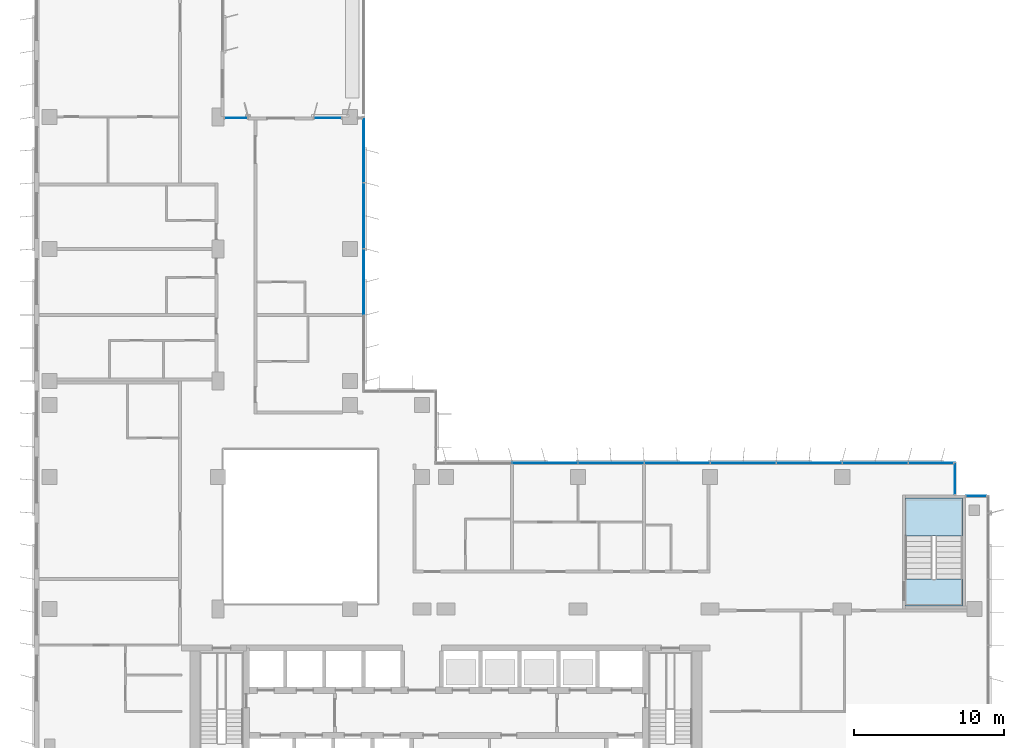
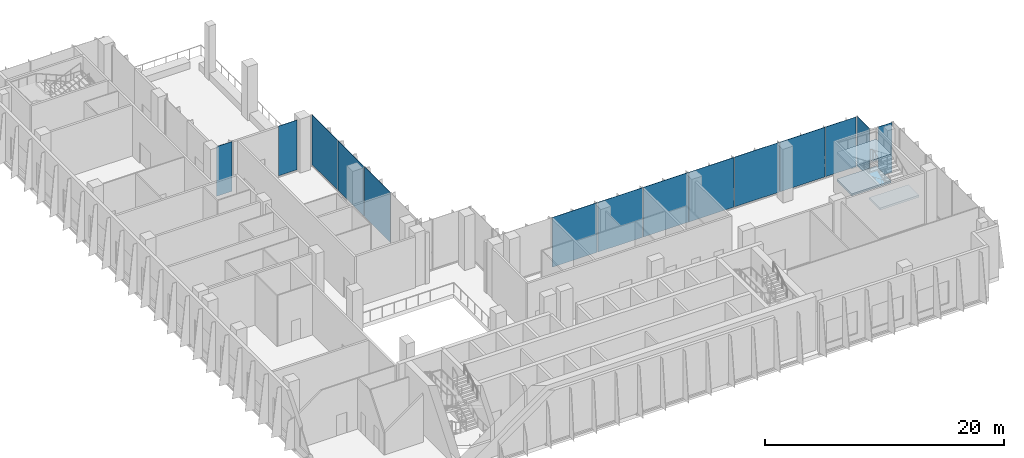
# One storey, part 10 of 24: 14 plates, 3 slabs, 7 elements without a shape of their own.
"""IFC4 building model written with IfcOpenShell, lengths in metres."""

from ifc_helpers import new_model, si_unit, direction, frame, origin, origin_2d, place, context, subcontext, project, spatial, polyline, rectangle, outline, extrude, source, transform, mapped, material, layer, layer_set, type_object, element, aggregate, save


model = new_model("IFC4")

# Units and contexts
model_context = context("Model", 3, precision=1e-05, world=origin(), true_north=direction((0.0, 1.0)))
body_context = subcontext(model_context, "Body", "Model", "MODEL_VIEW")
ifc_project = project(units=[si_unit("LENGTHUNIT", "METRE"), si_unit("AREAUNIT", "SQUARE_METRE"), si_unit("VOLUMEUNIT", "CUBIC_METRE"), si_unit("PLANEANGLEUNIT", "RADIAN"), si_unit("MASSUNIT", "GRAM", prefix="KILO")], contexts=[model_context])

# Site, building, storey
site_placement = place(None, origin())
site = spatial("IfcSite", under=ifc_project, at=site_placement, CompositionType="ELEMENT")
building_placement = place(site_placement, origin())
building = spatial("IfcBuilding", under=site, at=building_placement, Name="Kemantara Hotel Tower", CompositionType="ELEMENT")
storey_placement = place(building_placement, frame((0.0, 0.0, 202.5)))
storey = spatial("IfcBuildingStorey", under=building, at=storey_placement, Name="L50", CompositionType="ELEMENT", Elevation=202.5)

# Stair, slabs
ifc_material_1 = material(Name="Concrete fc 40 MPa", Category="concrete")
stair_type = type_object("IfcStairType", Name="Stair 1800 wide 36 risers of 153 x 360 mm", PredefinedType="HALF_TURN_STAIR", material=ifc_material_1)
stair_placement = place(storey_placement, origin())
stair = element("IfcStair", 1, at=stair_placement, inside=storey, type_object=stair_type, Name="L50 Exit stair ST3", PredefinedType="HALF_TURN_STAIR")
ifc_layer_1 = layer(ifc_material_1, 0.199951171875)
ifc_layer_set_1 = layer_set([ifc_layer_1], Name="Concrete fc 40 MPa")
slab_type = type_object("IfcSlabType", Name="Stair landing 200 mm", PredefinedType="LANDING", material=ifc_layer_set_1)
slab_1_placement = place(storey_placement, frame((0.0, 0.0, 1.175048828125)))
slab_1 = element("IfcSlab", 2, at=slab_1_placement, type_object=slab_type, Name="ST3 landing 1", PredefinedType="LANDING", context=body_context, shape_type="SweptSolid", body=[
    extrude(outline(polyline([(61.800048828125, 17.080078125), (61.800048828125, 19.60009765625), (58.0, 19.60009765625), (58.0, 17.080078125), (61.800048828125, 17.080078125)])), origin(), (0.0, 0.0, 1.0), 0.199951171875),
])
slab_2_placement = place(storey_placement, frame((0.0, 0.0, 2.550048828125)))
slab_2 = element("IfcSlab", 3, at=slab_2_placement, type_object=slab_type, Name="ST3 landing 2", PredefinedType="LANDING", context=body_context, shape_type="SweptSolid", body=[
    extrude(outline(polyline([(61.800048828125, 12.39990234375), (61.800048828125, 14.199951171875), (58.0, 14.199951171875), (58.0, 12.39990234375), (61.800048828125, 12.39990234375)])), origin(), (0.0, 0.0, 1.0), 0.199951171875),
])
slab_3_placement = place(storey_placement, frame((0.0, 0.0, 3.925048828125)))
slab_3 = element("IfcSlab", 4, at=slab_3_placement, type_object=slab_type, Name="ST3 landing 3", PredefinedType="LANDING", context=body_context, shape_type="SweptSolid", body=[
    extrude(outline(polyline([(61.800048828125, 17.080078125), (61.800048828125, 19.60009765625), (58.0, 19.60009765625), (58.0, 17.080078125), (61.800048828125, 17.080078125)])), origin(), (0.0, 0.0, 1.0), 0.199951171875),
])
aggregate(stair, [slab_1, slab_2, slab_3])

# Curtain wall, plates
ifc_material_2 = material(Name="Low-E tinted double insulated glass 36 mm", Category="glass")
curtain_wall_type_1 = type_object("IfcCurtainWallType", Name="TOWER CURTAIN WALL, FRONT FACES", PredefinedType="USERDEFINED", material=ifc_material_2)
curtain_wall_1_placement = place(storey_placement, origin())
curtain_wall_1 = element("IfcCurtainWall", 5, at=curtain_wall_1_placement, inside=storey, type_object=curtain_wall_type_1, Name="CW4 L50 T3S-R00-1", ObjectType="TOWER CURTAIN WALL, FRONT FACES", PredefinedType="USERDEFINED")
ifc_layer_2 = layer(ifc_material_2, 0.035888671875)
ifc_layer_set_2 = layer_set([ifc_layer_2], Name="Low-E tinted double insulated glass 36 mm")
plate_type_1 = type_object("IfcPlateType", Name="TOWER CURTAIN WALL, FRONT FACES PANEL", PredefinedType="CURTAIN_PANEL", material=ifc_layer_set_2)
shared_shape_1 = source(origin(), body_context, "Body", "SweptSolid", [
    extrude(rectangle(XDim=4.340087890625, YDim=0.035888671875, at=origin_2d()), origin(), (0.0, 0.0, 1.0), 5.080078125),
])
plate_1_placement = place(storey_placement, frame((21.925048828125, 34.0, 0.119873046875), z_axis=(0.0, 0.0, 1.0), x_axis=(0.0, 1.0, 0.0)))
plate_1 = element("IfcPlate", 6, at=plate_1_placement, type_object=plate_type_1, Name="CW4 glass panel T3S-R00-1.3", PredefinedType="CURTAIN_PANEL", context=body_context, shape_type="MappedRepresentation", body=[
    mapped(shared_shape_1, transform((0.0, 0.0, 0.0))),
])
plate_2_placement = place(storey_placement, frame((21.925048828125, 38.39990234375, 0.119873046875), z_axis=(0.0, 0.0, 1.0), x_axis=(0.0, 1.0, 0.0)))
plate_2 = element("IfcPlate", 7, at=plate_2_placement, type_object=plate_type_1, Name="CW4 glass panel T3S-R00-1.4", PredefinedType="CURTAIN_PANEL", context=body_context, shape_type="MappedRepresentation", body=[
    mapped(shared_shape_1, transform((0.0, 0.0, 0.0))),
])

curtain_wall_2_placement = place(storey_placement, origin())
curtain_wall_2 = element("IfcCurtainWall", 8, at=curtain_wall_2_placement, inside=storey, type_object=curtain_wall_type_1, Name="CW4 L50 T3S-R15-1", ObjectType="TOWER CURTAIN WALL, FRONT FACES", PredefinedType="USERDEFINED")
plate_3_placement = place(storey_placement, frame((56.0, 21.925048828125, 0.119873046875), z_axis=(0.0, 0.0, 1.0), x_axis=(-1.0, 0.0, 0.0)))
plate_3 = element("IfcPlate", 9, at=plate_3_placement, type_object=plate_type_1, Name="CW4 glass panel T3S-R15-1.2", PredefinedType="CURTAIN_PANEL", context=body_context, shape_type="MappedRepresentation", body=[
    mapped(shared_shape_1, transform((0.0, 0.0, 0.0))),
])
plate_4_placement = place(storey_placement, frame((51.60009765625, 21.925048828125, 0.119873046875), z_axis=(0.0, 0.0, 1.0), x_axis=(-1.0, 0.0, 0.0)))
plate_4 = element("IfcPlate", 10, at=plate_4_placement, type_object=plate_type_1, Name="CW4 glass panel T3S-R15-1.3", PredefinedType="CURTAIN_PANEL", context=body_context, shape_type="MappedRepresentation", body=[
    mapped(shared_shape_1, transform((0.0, 0.0, 0.0))),
])
plate_5_placement = place(storey_placement, frame((47.199951171875, 21.925048828125, 0.119873046875), z_axis=(0.0, 0.0, 1.0), x_axis=(-1.0, 0.0, 0.0)))
plate_5 = element("IfcPlate", 11, at=plate_5_placement, type_object=plate_type_1, Name="CW4 glass panel T3S-R15-1.4", PredefinedType="CURTAIN_PANEL", context=body_context, shape_type="MappedRepresentation", body=[
    mapped(shared_shape_1, transform((0.0, 0.0, 0.0))),
])
plate_6_placement = place(storey_placement, frame((42.800048828125, 21.925048828125, 0.119873046875), z_axis=(0.0, 0.0, 1.0), x_axis=(-1.0, 0.0, 0.0)))
plate_6 = element("IfcPlate", 12, at=plate_6_placement, type_object=plate_type_1, Name="CW4 glass panel T3S-R15-1.5", PredefinedType="CURTAIN_PANEL", context=body_context, shape_type="MappedRepresentation", body=[
    mapped(shared_shape_1, transform((0.0, 0.0, 0.0))),
])
plate_7_placement = place(storey_placement, frame((38.39990234375, 21.925048828125, 0.119873046875), z_axis=(0.0, 0.0, 1.0), x_axis=(-1.0, 0.0, 0.0)))
plate_7 = element("IfcPlate", 13, at=plate_7_placement, type_object=plate_type_1, Name="CW4 glass panel T3S-R15-1.6", PredefinedType="CURTAIN_PANEL", context=body_context, shape_type="MappedRepresentation", body=[
    mapped(shared_shape_1, transform((0.0, 0.0, 0.0))),
])
plate_8_placement = place(storey_placement, frame((34.0, 21.925048828125, 0.119873046875), z_axis=(0.0, 0.0, 1.0), x_axis=(-1.0, 0.0, 0.0)))
plate_8 = element("IfcPlate", 14, at=plate_8_placement, type_object=plate_type_1, Name="CW4 glass panel T3S-R15-1.7", PredefinedType="CURTAIN_PANEL", context=body_context, shape_type="MappedRepresentation", body=[
    mapped(shared_shape_1, transform((0.0, 0.0, 0.0))),
])
shared_shape_2 = source(origin(), body_context, "Body", "SweptSolid", [
    extrude(rectangle(XDim=2.9599609375, YDim=0.035888671875, at=origin_2d()), origin(), (0.0, 0.0, 1.0), 5.080078125),
])
plate_9_placement = place(storey_placement, frame((59.7099609375, 21.925048828125, 0.119873046875), z_axis=(0.0, 0.0, 1.0), x_axis=(-1.0, 0.0, 0.0)))
plate_9 = element("IfcPlate", 15, at=plate_9_placement, type_object=plate_type_1, Name="CW4 glass panel T3S-R15-1.1", PredefinedType="CURTAIN_PANEL", context=body_context, shape_type="MappedRepresentation", body=[
    mapped(shared_shape_2, transform((0.0, 0.0, 0.0))),
])
aggregate(curtain_wall_2, [plate_9, plate_3, plate_4, plate_5, plate_6, plate_7, plate_8])

# Curtain wall, plate
curtain_wall_3_placement = place(storey_placement, origin())
curtain_wall_3 = element("IfcCurtainWall", 16, at=curtain_wall_3_placement, inside=storey, type_object=curtain_wall_type_1, Name="CW4 L50 T3S-R14-1", ObjectType="TOWER CURTAIN WALL, FRONT FACES", PredefinedType="USERDEFINED")
shared_shape_3 = source(origin(), body_context, "Body", "SweptSolid", [
    extrude(rectangle(XDim=2.080078125, YDim=0.035888671875, at=origin_2d()), origin(), (0.0, 0.0, 1.0), 5.080078125),
])
plate_10_placement = place(storey_placement, frame((61.324951171875, 20.89990234375, 0.119873046875), z_axis=(0.0, 0.0, 1.0), x_axis=(0.0, 1.0, 0.0)))
plate_10 = element("IfcPlate", 17, at=plate_10_placement, type_object=plate_type_1, Name="CW4 glass panel T3S-R14-1.1", PredefinedType="CURTAIN_PANEL", context=body_context, shape_type="MappedRepresentation", body=[
    mapped(shared_shape_3, transform((0.0, 0.0, 0.0))),
])
aggregate(curtain_wall_3, [plate_10])

curtain_wall_4_placement = place(storey_placement, origin())
curtain_wall_4 = element("IfcCurtainWall", 18, at=curtain_wall_4_placement, inside=storey, type_object=curtain_wall_type_1, Name="CW4 L50 T3S-R13-1", ObjectType="TOWER CURTAIN WALL, FRONT FACES", PredefinedType="USERDEFINED")
shared_shape_4 = source(origin(), body_context, "Body", "SweptSolid", [
    extrude(rectangle(XDim=1.330078125, YDim=0.035888671875, at=origin_2d()), origin(), (0.0, 0.0, 1.0), 5.080078125),
])
plate_11_placement = place(storey_placement, frame((62.72509765625, 19.72509765625, 0.119873046875), z_axis=(0.0, 0.0, 1.0), x_axis=(-1.0, 0.0, 0.0)))
plate_11 = element("IfcPlate", 19, at=plate_11_placement, type_object=plate_type_1, Name="CW4 glass panel T3S-R13-1.1", PredefinedType="CURTAIN_PANEL", context=body_context, shape_type="MappedRepresentation", body=[
    mapped(shared_shape_4, transform((0.0, 0.0, 0.0))),
])
aggregate(curtain_wall_4, [plate_11])

# Plate
shared_shape_5 = source(origin(), body_context, "Body", "SweptSolid", [
    extrude(rectangle(XDim=4.31005859375, YDim=0.035888671875, at=origin_2d()), origin(), (0.0, 0.0, 1.0), 5.080078125),
])
plate_12_placement = place(storey_placement, frame((21.925048828125, 42.784912109375, 0.119873046875), z_axis=(0.0, 0.0, 1.0), x_axis=(0.0, 1.0, 0.0)))
plate_12 = element("IfcPlate", 20, at=plate_12_placement, type_object=plate_type_1, Name="CW4 glass panel T3S-R00-1.5", PredefinedType="CURTAIN_PANEL", context=body_context, shape_type="MappedRepresentation", body=[
    mapped(shared_shape_5, transform((0.0, 0.0, 0.0))),
])

aggregate(curtain_wall_1, [plate_1, plate_2, plate_12])

# Curtain wall, plate
ifc_material_3 = material(Name="Toughened tinted glass 32 mm", Category="glass")
curtain_wall_type_2 = type_object("IfcCurtainWallType", Name="TERRACE GLAZING WALL", PredefinedType="USERDEFINED", material=ifc_material_3)
curtain_wall_5_placement = place(storey_placement, origin())
curtain_wall_5 = element("IfcCurtainWall", 21, at=curtain_wall_5_placement, inside=storey, type_object=curtain_wall_type_2, Name="CW6 L50 T3S-R01-2", ObjectType="TERRACE GLAZING WALL", PredefinedType="USERDEFINED")
ifc_layer_3 = layer(ifc_material_3, 0.031982421875)
ifc_layer_set_3 = layer_set([ifc_layer_3], Name="Toughened tinted glass 32 mm")
plate_type_2 = type_object("IfcPlateType", Name="TERRACE GLAZING WALL PANEL", PredefinedType="CURTAIN_PANEL", material=ifc_layer_set_3)
shared_shape_6 = source(origin(), body_context, "Body", "SweptSolid", [
    extrude(rectangle(XDim=1.81005859375, YDim=0.031982421875, at=origin_2d()), origin(), (0.0, 0.0, 1.0), 5.080078125),
])
plate_13_placement = place(storey_placement, frame((19.534912109375, 44.925048828125, 0.119873046875), z_axis=(0.0, 0.0, 1.0), x_axis=(-1.0, 0.0, 0.0)))
plate_13 = element("IfcPlate", 22, at=plate_13_placement, type_object=plate_type_2, Name="CW6 glass panel T3S-R01-2.1", PredefinedType="CURTAIN_PANEL", context=body_context, shape_type="MappedRepresentation", body=[
    mapped(shared_shape_6, transform((0.0, 0.0, 0.0))),
])
aggregate(curtain_wall_5, [plate_13])

curtain_wall_6_placement = place(storey_placement, origin())
curtain_wall_6 = element("IfcCurtainWall", 23, at=curtain_wall_6_placement, inside=storey, type_object=curtain_wall_type_2, Name="CW6 L50 T3S-R01-3", ObjectType="TERRACE GLAZING WALL", PredefinedType="USERDEFINED")
shared_shape_7 = source(origin(), body_context, "Body", "SweptSolid", [
    extrude(rectangle(XDim=1.510009765625, YDim=0.031982421875, at=origin_2d()), origin(), (0.0, 0.0, 1.0), 5.080078125),
])
plate_14_placement = place(storey_placement, frame((13.4150390625, 44.925048828125, 0.119873046875), z_axis=(0.0, 0.0, 1.0), x_axis=(-1.0, 0.0, 0.0)))
plate_14 = element("IfcPlate", 24, at=plate_14_placement, type_object=plate_type_2, Name="CW6 glass panel T3S-R01-3.1", PredefinedType="CURTAIN_PANEL", context=body_context, shape_type="MappedRepresentation", body=[
    mapped(shared_shape_7, transform((0.0, 0.0, 0.0))),
])
aggregate(curtain_wall_6, [plate_14])

save(model, "model.ifc")
